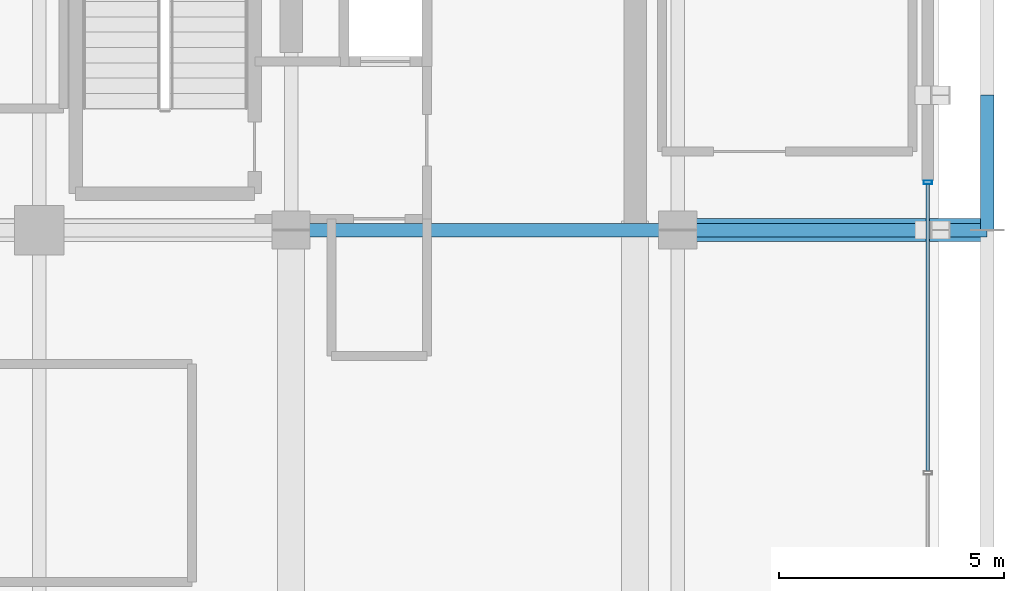
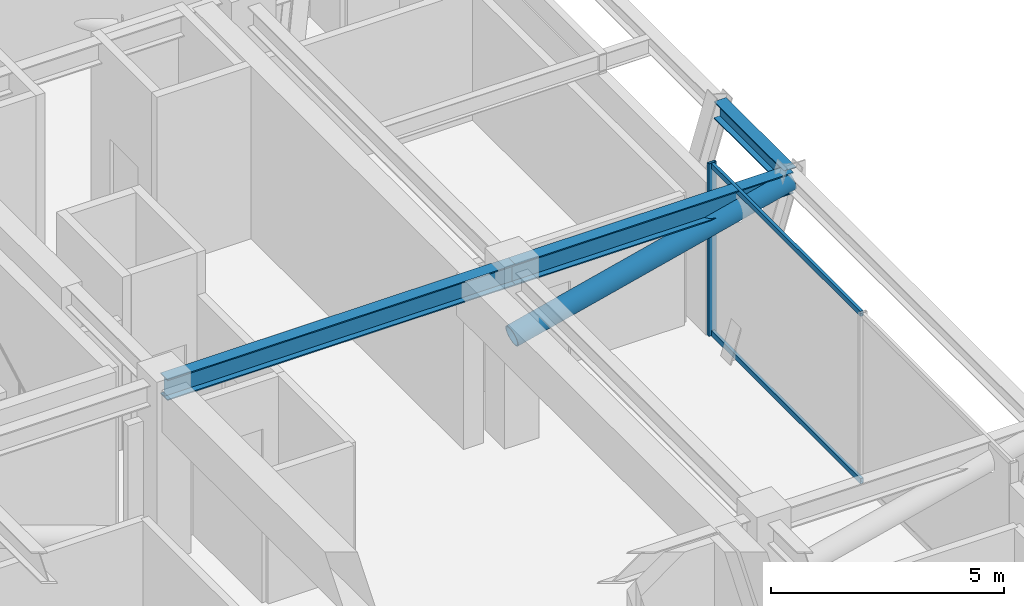
# One storey, part 7 of 16: 4 members, 3 beams, 1 element without a shape of its own.
"""IFC4 building model written with IfcOpenShell, lengths in metres."""

import ifcopenshell
import ifcopenshell.guid

model = None  # the IFC model being written
_history = None  # IfcOwnerHistory: only IFC2X3 demands one
_inside = {}  # id of a spatial element -> (the spatial element, [elements in it])
_under = {}  # id of a project, library or spatial element -> (it, [spatial elements below it])
_declared = {}  # id of a project -> (the project, [libraries it declares])
_typed = {}  # id of a type object -> (the type object, [elements of that type])
_made_of = {}  # id of a material, layer set ... -> (it, [elements and type objects made of it])


def new_model(schema):
    """Start an empty IFC model of exactly this schema.

    Asked for "IFC4X3", IfcOpenShell would pick the latest addendum, in which some entities
    have other attributes; the version numbers below select the first issue.
    IFC2X3 requires an IfcOwnerHistory on every rooted entity: one is made here for all.
    """
    global model, _history
    if schema == "IFC4X3":
        model = ifcopenshell.file(schema_version=(4, 3, 0, 0))
    else:
        model = ifcopenshell.file(schema=schema)
    _inside.clear()
    _under.clear()
    _declared.clear()
    _typed.clear()
    _made_of.clear()
    _history = None
    if model.schema == "IFC2X3":
        org = make("IfcOrganization", Name="unknown")
        user = make(
            "IfcPersonAndOrganization",
            ThePerson=make("IfcPerson", FamilyName="unknown"),
            TheOrganization=org,
        )
        app = make(
            "IfcApplication",
            ApplicationDeveloper=org,
            Version="unknown",
            ApplicationFullName="unknown",
            ApplicationIdentifier="unknown",
        )
        _history = make(
            "IfcOwnerHistory",
            OwningUser=user,
            OwningApplication=app,
            ChangeAction="ADDED",
            CreationDate=0,
        )
    return model


def make(cls, **values):
    """One entity of the class cls with the attributes given. An attribute that is None is left unset."""
    return model.create_entity(
        cls, **{name: value for name, value in values.items() if value is not None}
    )


def rooted(cls, **values):
    """An entity with a GlobalId (a new one), such as an element, a storey or a relation."""
    return make(cls, GlobalId=ifcopenshell.guid.new(), OwnerHistory=_history, **values)


def si_unit(unit_type, name, prefix=None):
    """IfcSIUnit, for example si_unit("LENGTHUNIT", "METRE", prefix="MILLI")."""
    return make("IfcSIUnit", UnitType=unit_type, Prefix=prefix, Name=name)


def assignment(units):
    """IfcUnitAssignment: the units of a project."""
    return None if units is None else make("IfcUnitAssignment", Units=units)


def point(xyz):
    """IfcCartesianPoint."""
    return None if xyz is None else make("IfcCartesianPoint", Coordinates=xyz)


def direction(xyz):
    """IfcDirection."""
    return None if xyz is None else make("IfcDirection", DirectionRatios=xyz)


def frame(location, z_axis=None, x_axis=None):
    """IfcAxis2Placement3D, a coordinate frame: its origin and axes. An axis left out is left unset."""
    return make(
        "IfcAxis2Placement3D",
        Location=point(location),
        Axis=direction(z_axis),
        RefDirection=direction(x_axis),
    )


def frame_2d(location, x_axis=None):
    """IfcAxis2Placement2D, a coordinate frame in the plane: its origin and x axis."""
    return make(
        "IfcAxis2Placement2D", Location=point(location), RefDirection=direction(x_axis)
    )


def origin():
    """The frame at (0, 0, 0) with its axes left unset."""
    return frame((0.0, 0.0, 0.0))


def origin_2d():
    """The frame at (0, 0) in the plane with its x axis left unset."""
    return frame_2d((0.0, 0.0))


def place(relative_to, where):
    """IfcLocalPlacement: puts the frame where relative to a parent placement (None: the world)."""
    return make(
        "IfcLocalPlacement", PlacementRelTo=relative_to, RelativePlacement=where
    )


def context(
    kind, dimensions, precision=None, world=None, true_north=None, identifier=None
):
    """IfcGeometricRepresentationContext, for example the 3D "Model" context."""
    return make(
        "IfcGeometricRepresentationContext",
        ContextIdentifier=identifier,
        ContextType=kind,
        CoordinateSpaceDimension=dimensions,
        Precision=precision,
        WorldCoordinateSystem=world,
        TrueNorth=true_north,
    )


def subcontext(parent, identifier, kind, view, scale=None):
    """IfcGeometricRepresentationSubContext, for example "Body" below "Model"."""
    return make(
        "IfcGeometricRepresentationSubContext",
        ContextIdentifier=identifier,
        ContextType=kind,
        ParentContext=parent,
        TargetScale=scale,
        TargetView=view,
    )


def project(units=None, contexts=None):
    """IfcProject with its units and contexts."""
    return rooted(
        "IfcProject",
        Name="project",
        RepresentationContexts=contexts,
        UnitsInContext=assignment(units),
    )


def spatial(cls, under=None, at=None, **own):
    """A site, building, storey or space (cls), placed at a placement, below another one or the project."""
    s = rooted(cls, ObjectPlacement=at, **own)
    if under is not None:
        _under.setdefault(under.id(), (under, []))[1].append(s)
    return s


def profile(cls, at=None, kind="AREA", **sizes):
    """A parametric profile (cls). Its sizes go by their IFC names, for example OverallWidth=200.0."""
    return make(cls, ProfileType=kind, Position=at, **sizes)


def hollow_rectangle(**sizes):
    """IfcRectangleHollowProfileDef."""
    return profile("IfcRectangleHollowProfileDef", **sizes)


def hollow_circle(**sizes):
    """IfcCircleHollowProfileDef."""
    return profile("IfcCircleHollowProfileDef", **sizes)


def i_section(**sizes):
    """IfcIShapeProfileDef."""
    return profile("IfcIShapeProfileDef", **sizes)


def extrude(swept, where, along, depth):
    """IfcExtrudedAreaSolid: the profile swept, set in the frame where, extruded along a direction by depth."""
    return make(
        "IfcExtrudedAreaSolid",
        SweptArea=swept,
        Position=where,
        ExtrudedDirection=direction(along),
        Depth=depth,
    )


def shape(context_of_items, identifier, shape_type, items):
    """IfcShapeRepresentation: the items that make up one representation, for example the "Body"."""
    return make(
        "IfcShapeRepresentation",
        ContextOfItems=context_of_items,
        RepresentationIdentifier=identifier,
        RepresentationType=shape_type,
        Items=items,
    )


def source(mapping_origin, context_of_items, identifier, shape_type, items):
    """IfcRepresentationMap: a shape defined once, which mapped items show again and again."""
    return make(
        "IfcRepresentationMap",
        MappingOrigin=mapping_origin,
        MappedRepresentation=shape(context_of_items, identifier, shape_type, items),
    )


def transform(
    local_origin,
    x_axis=None,
    y_axis=None,
    z_axis=None,
    scale=None,
    scale2=None,
    scale3=None,
    uniform=True,
):
    """IfcCartesianTransformationOperator3D, or its non-uniform kind. x_axis, y_axis, z_axis: its Axis1, 2, 3."""
    if uniform:
        return make(
            "IfcCartesianTransformationOperator3D",
            Axis1=direction(x_axis),
            Axis2=direction(y_axis),
            LocalOrigin=point(local_origin),
            Scale=scale,
            Axis3=direction(z_axis),
        )
    return make(
        "IfcCartesianTransformationOperator3DnonUniform",
        Axis1=direction(x_axis),
        Axis2=direction(y_axis),
        LocalOrigin=point(local_origin),
        Scale=scale,
        Axis3=direction(z_axis),
        Scale2=scale2,
        Scale3=scale3,
    )


def mapped(mapping_source, mapping_target):
    """IfcMappedItem: shows the shape of a source again, moved by a transform."""
    return make(
        "IfcMappedItem", MappingSource=mapping_source, MappingTarget=mapping_target
    )


def material(Name=None, Category=None):
    """IfcMaterial."""
    return make("IfcMaterial", Name=Name, Category=Category)


def material_profile(
    of_material, cross_section, Name=None, Category=None, Priority=None
):
    """IfcMaterialProfile: a cross section and its material."""
    return make(
        "IfcMaterialProfile",
        Name=Name,
        Material=of_material,
        Profile=cross_section,
        Priority=Priority,
        Category=Category,
    )


def profile_set(profiles, Name=None, composite=None):
    """IfcMaterialProfileSet."""
    return make(
        "IfcMaterialProfileSet",
        Name=Name,
        MaterialProfiles=profiles,
        CompositeProfile=composite,
    )


def made_of(thing, what):
    """Note that an element or type object is made of a material, layer set ...; save() writes the relation."""
    if what is not None:
        _made_of.setdefault(what.id(), (what, []))[1].append(thing)
    return thing


def type_object(cls, material=None, **own):
    """A type object (cls), such as IfcWallType, which elements share."""
    return made_of(rooted(cls, **own), material)


def element(
    cls,
    number,
    at=None,
    inside=None,
    cuts=None,
    type_object=None,
    material=None,
    context=None,
    identifier="Body",
    shape_type=None,
    held_by="IfcProductDefinitionShape",
    body=None,
    shapes=None,
    **own,
):
    """One element of the class cls, such as IfcWall. Its Tag is "e" and its number.

    at: its placement. inside: the storey or other place that contains it. cuts: it is an
    opening in that element (IfcRelVoidsElement). A single representation is given by context,
    identifier, shape_type and body (its items); several are given by shapes. held_by: the class
    of the entity that holds the representations. save() writes the other relations.
    """
    e = rooted(cls, Tag="e%d" % number, ObjectPlacement=at, **own)
    if body is not None:
        shapes = [shape(context, identifier, shape_type, body)]
    if shapes is not None:
        e.Representation = make(held_by, Representations=shapes)
    if inside is not None:
        _inside.setdefault(inside.id(), (inside, []))[1].append(e)
    if cuts is not None:
        rooted(
            "IfcRelVoidsElement", RelatingBuildingElement=cuts, RelatedOpeningElement=e
        )
    if type_object is not None:
        _typed.setdefault(type_object.id(), (type_object, []))[1].append(e)
    return made_of(e, material)


def aggregate(whole, parts):
    """IfcRelAggregates: a whole, such as a stair, and the parts it consists of."""
    return rooted("IfcRelAggregates", RelatingObject=whole, RelatedObjects=parts)


def save(model, path):
    """Write the relations noted so far, then the file.

    IfcRelAggregates (storeys below a building ...), IfcRelContainedInSpatialStructure (elements
    in a storey), IfcRelDefinesByType, IfcRelAssociatesMaterial and IfcRelDeclares: one each for
    every whole, place, type object, material and project.
    """
    for whole, parts in _under.values():
        aggregate(whole, parts)
    for where, things in _inside.values():
        rooted(
            "IfcRelContainedInSpatialStructure",
            RelatedElements=things,
            RelatingStructure=where,
        )
    for kind, things in _typed.values():
        rooted("IfcRelDefinesByType", RelatedObjects=things, RelatingType=kind)
    for what, things in _made_of.values():
        rooted("IfcRelAssociatesMaterial", RelatedObjects=things, RelatingMaterial=what)
    for by, libraries in _declared.values():
        rooted("IfcRelDeclares", RelatingContext=by, RelatedDefinitions=libraries)
    model.write(path)


model = new_model("IFC4")

# Units and contexts
model_context = context("Model", 3, precision=1e-05, world=origin(), true_north=direction((0.0, 1.0)))
body_context = subcontext(model_context, "Body", "Model", "MODEL_VIEW")
ifc_project = project(units=[si_unit("LENGTHUNIT", "METRE"), si_unit("AREAUNIT", "SQUARE_METRE"), si_unit("VOLUMEUNIT", "CUBIC_METRE"), si_unit("PLANEANGLEUNIT", "RADIAN"), si_unit("MASSUNIT", "GRAM", prefix="KILO")], contexts=[model_context])

# Site, building, storey
site_placement = place(None, origin())
site = spatial("IfcSite", under=ifc_project, at=site_placement, CompositionType="ELEMENT")
building_placement = place(site_placement, origin())
building = spatial("IfcBuilding", under=site, at=building_placement, Name="Nahalor Promenade Grand Hotel", CompositionType="ELEMENT")
storey_placement = place(building_placement, frame((0.0, 0.0, 200.10009765625)))
storey = spatial("IfcBuildingStorey", under=building, at=storey_placement, Name="L51", CompositionType="ELEMENT", Elevation=200.10009765625)

# Beams
ifc_material_1 = material(Name="Steel S355JR", Category="steel")
ifc_material_profile_1 = material_profile(ifc_material_1, i_section(OverallWidth=0.3, OverallDepth=0.55, WebThickness=0.015, FlangeThickness=0.029, at=origin_2d()), Name="HEB 550")
ifc_profile_set_1 = profile_set([ifc_material_profile_1], Name="Steel S355JR")
beam_type_1 = type_object("IfcBeamType", Name="Beam-Girder-HEB550", PredefinedType="BEAM", material=ifc_profile_set_1)
shared_shape_1 = source(origin(), body_context, "Body", "SweptSolid", [
    extrude(i_section(OverallWidth=0.3, OverallDepth=0.55, WebThickness=0.015, FlangeThickness=0.029, at=origin_2d()), origin(), (0.0, 0.0, 1.0), 8.60009765625),
])
beam_1_placement = place(storey_placement, frame((8.39990234375, 5.39990234375, 4.23486328125), z_axis=(1.0, 0.0, 0.0), x_axis=(0.0, 1.0, 0.0)))
element("IfcBeam", 1, at=beam_1_placement, inside=storey, type_object=beam_type_1, Name="BM-L51-GX-2-5", PredefinedType="BEAM", context=body_context, shape_type="MappedRepresentation", body=[
    mapped(shared_shape_1, transform((0.0, 0.0, 0.0), scale=1.0)),
])
ifc_material_profile_2 = material_profile(ifc_material_1, i_section(OverallWidth=0.3, OverallDepth=0.45, WebThickness=0.014, FlangeThickness=0.026, at=origin_2d()), Name="HEB 450")
ifc_profile_set_2 = profile_set([ifc_material_profile_2], Name="Steel S355JR")
beam_type_2 = type_object("IfcBeamType", Name="Beam-Spandrel-HEB450", PredefinedType="SPANDREL", material=ifc_profile_set_2)
shared_shape_2 = source(origin(), body_context, "Body", "SweptSolid", [
    extrude(i_section(OverallWidth=0.3, OverallDepth=0.45, WebThickness=0.014, FlangeThickness=0.026, at=origin_2d()), origin(), (0.0, 0.0, 1.0), 3.0),
])
beam_2_placement = place(storey_placement, frame((23.8798828125, 5.39990234375, 4.284912109375), z_axis=(0.0, 1.0, 0.0), x_axis=(-1.0, 0.0, 0.0)))
element("IfcBeam", 2, at=beam_2_placement, inside=storey, type_object=beam_type_2, Name="BM-L51-SP-E-3", PredefinedType="SPANDREL", context=body_context, shape_type="MappedRepresentation", body=[
    mapped(shared_shape_2, transform((0.0, 0.0, 0.0), scale=1.0)),
])
shared_shape_3 = source(origin(), body_context, "Body", "SweptSolid", [
    extrude(i_section(OverallWidth=0.3, OverallDepth=0.55, WebThickness=0.015, FlangeThickness=0.029, at=origin_2d()), origin(), (0.0, 0.0, 1.0), 6.8798828125),
])
beam_3_placement = place(storey_placement, frame((17.0, 5.39990234375, 4.23486328125), z_axis=(1.0, 0.0, 0.0), x_axis=(0.0, 1.0, 0.0)))
element("IfcBeam", 3, at=beam_3_placement, inside=storey, type_object=beam_type_1, Name="BM-L51-GX-2-6", PredefinedType="BEAM", context=body_context, shape_type="MappedRepresentation", body=[
    mapped(shared_shape_3, transform((0.0, 0.0, 0.0), scale=1.0)),
])

# Member
ifc_material_2 = material(Name="Steel S355J2", Category="steel")
ifc_material_profile_3 = material_profile(ifc_material_2, hollow_circle(Radius=0.254, WallThickness=0.025, at=origin_2d()), Name="CHS 508x25")
ifc_profile_set_3 = profile_set([ifc_material_profile_3], Name="Steel S355J2")
member_type_1 = type_object("IfcMemberType", Name="Mem-OutDiag-CHS508", PredefinedType="BRACE", material=ifc_profile_set_3)
shared_shape_4 = source(origin(), body_context, "Body", "SweptSolid", [
    extrude(hollow_circle(Radius=0.254, WallThickness=0.025, at=origin_2d()), origin(), (0.0, 0.0, 1.0), 7.0869140625),
])
member_1_placement = place(storey_placement, frame((17.0, 5.39990234375, 2.5498046875), z_axis=(0.970795518061, 0.0, 0.239908445272), x_axis=(0.0, 1.0, 0.0)))
element("IfcMember", 4, at=member_1_placement, inside=storey, type_object=member_type_1, Name="OU-L51-E2-D0", PredefinedType="BRACE", context=body_context, shape_type="MappedRepresentation", body=[
    mapped(shared_shape_4, transform((0.0, 0.0, 0.0), scale=1.0)),
])

# Curtain wall, members
ifc_material_3 = material(Name="Anodised Bronze Aluminium EN AW-6063 T6", Category="aluminium")
curtain_wall_type = type_object("IfcCurtainWallType", Name="CW6 Crown Botanical Conservatory Curtain Wall", PredefinedType="USERDEFINED", material=ifc_material_3)
curtain_wall_placement = place(storey_placement, origin())
curtain_wall = element("IfcCurtainWall", 5, at=curtain_wall_placement, inside=storey, type_object=curtain_wall_type, Name="L51 Curtain Wall CW-L51-E", ObjectType="UNITISED_CURTAIN_WALL", PredefinedType="USERDEFINED")
ifc_material_profile_4 = material_profile(ifc_material_3, hollow_rectangle(XDim=0.075, YDim=0.135, WallThickness=0.004, at=origin_2d()), Name="CWT 75x135x4")
ifc_profile_set_4 = profile_set([ifc_material_profile_4], Name="Anodised Bronze Aluminium EN AW-6063 T6")
member_type_2 = type_object("IfcMemberType", Name="CWT6 Conservatory Transom 75x135", PredefinedType="USERDEFINED", material=ifc_profile_set_4)
shared_shape_5 = source(origin(), body_context, "Body", "SweptSolid", [
    extrude(hollow_rectangle(XDim=0.075, YDim=0.135, WallThickness=0.004, at=origin_2d()), origin(), (0.0, 0.0, 1.0), 6.387451171875),
])
member_2_placement = place(storey_placement, frame((22.56005859375, 0.03759765625, 0.0673828125), z_axis=(0.0, 1.0, 0.0), x_axis=(-1.0, 0.0, 0.0)))
member_2 = element("IfcMember", 6, at=member_2_placement, type_object=member_type_2, Name="CW-L51-E Transom 1-0", ObjectType="TRANSOM", PredefinedType="USERDEFINED", context=body_context, shape_type="MappedRepresentation", body=[
    mapped(shared_shape_5, transform((0.0, 0.0, 0.0), scale=1.0)),
])
member_3_placement = place(storey_placement, frame((22.56005859375, 0.03759765625, 4.4423828125), z_axis=(0.0, 1.0, 0.0), x_axis=(-1.0, 0.0, 0.0)))
member_3 = element("IfcMember", 7, at=member_3_placement, type_object=member_type_2, Name="CW-L51-E Transom 1-1", ObjectType="TRANSOM", PredefinedType="USERDEFINED", context=body_context, shape_type="MappedRepresentation", body=[
    mapped(shared_shape_5, transform((0.0, 0.0, 0.0), scale=1.0)),
])
ifc_material_profile_5 = material_profile(ifc_material_3, hollow_rectangle(XDim=0.075, YDim=0.19, WallThickness=0.005, at=origin_2d()), Name="CWM 75x190x5")
ifc_profile_set_5 = profile_set([ifc_material_profile_5], Name="Anodised Bronze Aluminium EN AW-6063 T6")
member_type_3 = type_object("IfcMemberType", Name="CWM6 Conservatory Bronze Mullion 75x190", PredefinedType="MULLION", material=ifc_profile_set_5)
shared_shape_6 = source(origin(), body_context, "Body", "SweptSolid", [
    extrude(hollow_rectangle(XDim=0.075, YDim=0.19, WallThickness=0.005, at=origin_2d()), origin(), (0.0, 0.0, 1.0), 4.510009765625),
])
member_4_placement = place(storey_placement, frame((22.56005859375, 6.46240234375, 0.0), z_axis=(0.0, 0.0, 1.0), x_axis=(0.0, 1.0, 0.0)))
member_4 = element("IfcMember", 8, at=member_4_placement, type_object=member_type_3, Name="CW-L51-E Mullion 2", PredefinedType="MULLION", context=body_context, shape_type="MappedRepresentation", body=[
    mapped(shared_shape_6, transform((0.0, 0.0, 0.0), scale=1.0)),
])
aggregate(curtain_wall, [member_4, member_2, member_3])

save(model, "model.ifc")
